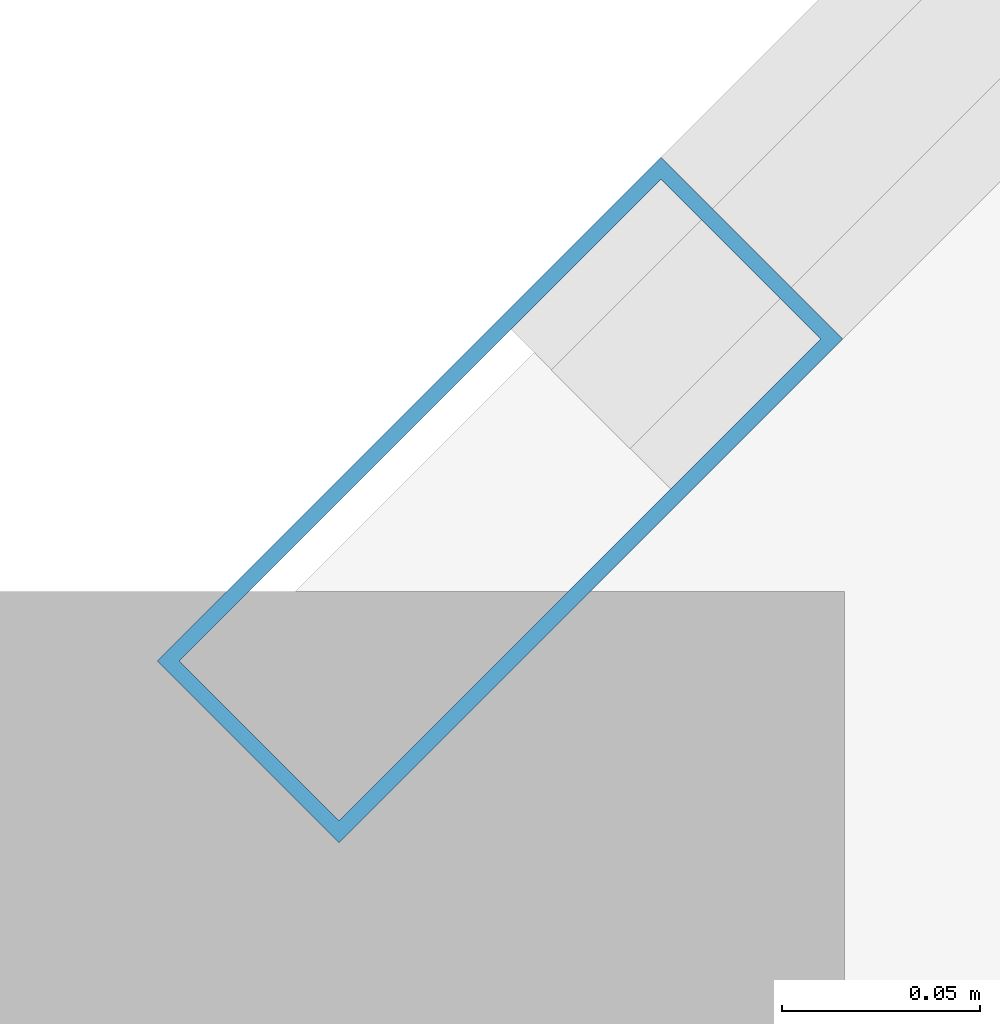
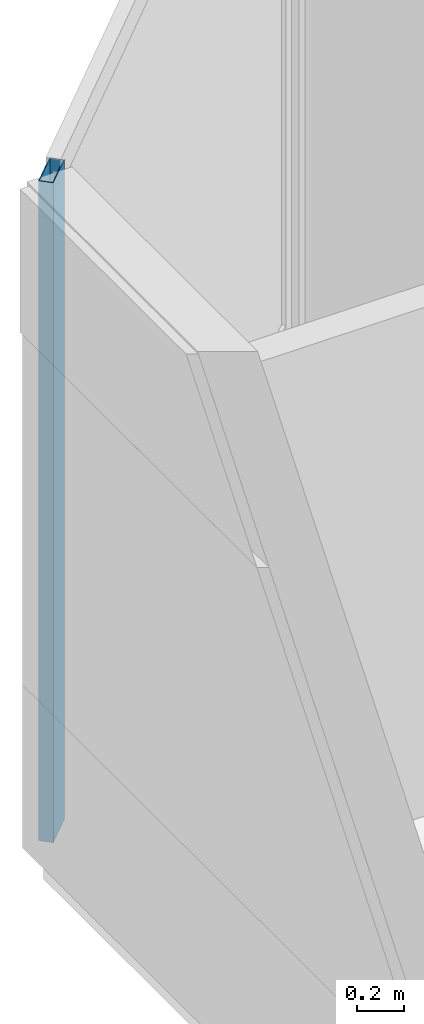
# One storey, part 5 of 28: 1 member, 1 element without a shape of its own.
"""IFC4 building model written with IfcOpenShell, lengths in metres."""

from ifc_helpers import new_model, si_unit, direction, frame, origin, origin_2d, place, context, subcontext, project, spatial, hollow_rectangle, extrude, material, layer, layer_set, material_profile, profile_set, type_object, element, aggregate, save


model = new_model("IFC4")

# Units and contexts
model_context = context("Model", 3, precision=1e-05, world=origin(), true_north=direction((0.0, 1.0)))
body_context = subcontext(model_context, "Body", "Model", "MODEL_VIEW")
ifc_project = project(units=[si_unit("LENGTHUNIT", "METRE"), si_unit("AREAUNIT", "SQUARE_METRE"), si_unit("VOLUMEUNIT", "CUBIC_METRE"), si_unit("PLANEANGLEUNIT", "RADIAN"), si_unit("MASSUNIT", "GRAM", prefix="KILO")], contexts=[model_context])

# Site, building, storey
site_placement = place(None, origin())
site = spatial("IfcSite", under=ifc_project, at=site_placement, CompositionType="ELEMENT")
building_placement = place(site_placement, origin())
building = spatial("IfcBuilding", under=site, at=building_placement, Name="Tanjung Sevakor Pilgrim Tower", CompositionType="ELEMENT")
storey_placement = place(building_placement, frame((0.0, 0.0, 242.550048828125)))
storey = spatial("IfcBuildingStorey", under=building, at=storey_placement, Name="L68", CompositionType="ELEMENT", Elevation=242.550048828125)

# Curtain wall, member
ifc_material_1 = material(Name="Aluminium 6063-T6 and Low-E Glass", Category="aluminium")
ifc_layer = layer(ifc_material_1, 0.179931640625)
ifc_layer_set = layer_set([ifc_layer], Name="CW-SYS-CHAM")
curtain_wall_type = type_object("IfcCurtainWallType", Name="CW-SYS-CHAM", PredefinedType="NOTDEFINED", material=ifc_layer_set)
curtain_wall_placement = place(storey_placement, origin())
curtain_wall = element("IfcCurtainWall", 1, at=curtain_wall_placement, inside=storey, type_object=curtain_wall_type, Name="L68 Curtain Wall CW-CHM-L68-WEST-5", PredefinedType="NOTDEFINED")
ifc_material_2 = material(Name="Aluminium 6063-T6", Category="aluminium")
ifc_material_profile = material_profile(ifc_material_2, hollow_rectangle(XDim=0.06494140625, YDim=0.179931640625, WallThickness=0.00390625, at=origin_2d()))
ifc_profile_set = profile_set([ifc_material_profile], Name="Aluminium 6063-T6")
member_type = type_object("IfcMemberType", Name="TYPE-CWM-1", PredefinedType="MULLION", material=ifc_profile_set)
member_placement = place(storey_placement, frame((22.133056640625, 43.577392578125, 0.0), z_axis=(0.0, 0.0, 1.0), x_axis=(0.707106781187, -0.707106781187, 0.0)))
member = element("IfcMember", 2, at=member_placement, type_object=member_type, Name="CW-CHM mullion 2", PredefinedType="MULLION", context=body_context, shape_type="SweptSolid", body=[
    extrude(hollow_rectangle(XDim=0.06494140625, YDim=0.179931640625, WallThickness=0.00390625, at=origin_2d()), origin(), (0.0, 0.0, 1.0), 3.409912109375),
])
aggregate(curtain_wall, [member])

save(model, "model.ifc")
